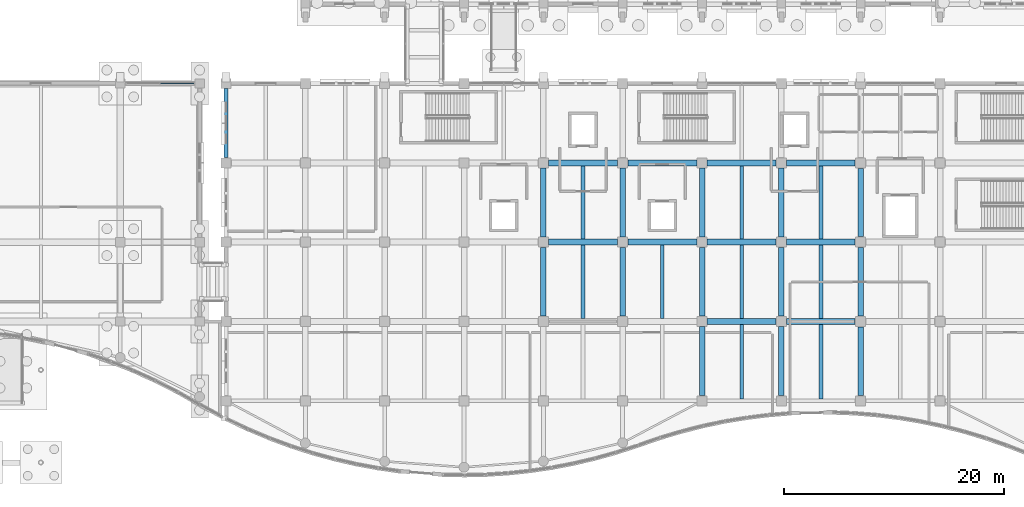
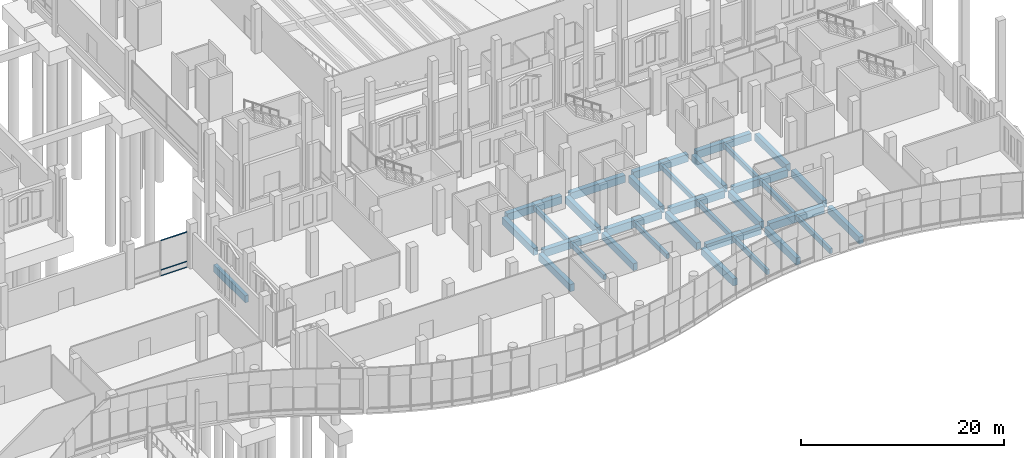
# One storey, part 83 of 192: 33 beams, 3 members, 1 element without a shape of its own.
"""IFC4 building model written with IfcOpenShell, lengths in metres."""

from ifc_helpers import new_model, si_unit, direction, frame, origin, origin_2d, place, context, subcontext, project, spatial, rectangle, hollow_rectangle, extrude, material, material_profile, profile_set, type_object, element, aggregate, save


model = new_model("IFC4")

# Units and contexts
model_context = context("Model", 3, precision=1e-05, world=origin(), true_north=direction((0.0, 1.0)))
body_context = subcontext(model_context, "Body", "Model", "MODEL_VIEW")
ifc_project = project(units=[si_unit("LENGTHUNIT", "METRE"), si_unit("AREAUNIT", "SQUARE_METRE"), si_unit("VOLUMEUNIT", "CUBIC_METRE"), si_unit("PLANEANGLEUNIT", "RADIAN"), si_unit("MASSUNIT", "GRAM", prefix="KILO")], contexts=[model_context])

# Site, building, storey
site_placement = place(None, origin())
site = spatial("IfcSite", under=ifc_project, at=site_placement, CompositionType="ELEMENT")
building_placement = place(site_placement, origin())
building = spatial("IfcBuilding", under=site, at=building_placement, Name="Cendralis Lancet Convention Centre", CompositionType="ELEMENT")
storey_placement = place(building_placement, origin())
storey = spatial("IfcBuildingStorey", under=building, at=storey_placement, Name="L00", CompositionType="ELEMENT", Elevation=0.0)

# Curtain wall, members
ifc_material_1 = material(Name="Anodised bronze architectural aluminium", Category="aluminium")
curtain_wall_type = type_object("IfcCurtainWallType", Name="ARC-CW-CL01", PredefinedType="USERDEFINED", material=ifc_material_1)
curtain_wall_placement = place(storey_placement, origin())
curtain_wall = element("IfcCurtainWall", 1, at=curtain_wall_placement, inside=storey, type_object=curtain_wall_type, Name="L00 Curtain Wall CW-CL1 #165", ObjectType="CURTAIN WALL", PredefinedType="USERDEFINED")
ifc_material_profile_1 = material_profile(ifc_material_1, hollow_rectangle(XDim=0.06005859375, YDim=0.1201171875, WallThickness=0.00390625, at=origin_2d()), Name="AL-TRAN 60x120x4.0")
ifc_profile_set_1 = profile_set([ifc_material_profile_1], Name="Anodised bronze architectural aluminium")
member_type = type_object("IfcMemberType", Name="ARC-CW-TR01", PredefinedType="USERDEFINED", material=ifc_profile_set_1)
member_1_placement = place(storey_placement, frame((126.06005859375, 36.0, 0.06005859375), z_axis=(1.0, 0.0, 0.0), x_axis=(0.0, 1.0, 0.0)))
member_1 = element("IfcMember", 2, at=member_1_placement, type_object=member_type, Name="Transom CW2-CW-CL1-L00-165-T1BOT", ObjectType="TRANSOM", PredefinedType="USERDEFINED", context=body_context, shape_type="SweptSolid", body=[
    extrude(hollow_rectangle(XDim=0.06005859375, YDim=0.1201171875, WallThickness=0.00390625, at=origin_2d()), origin(), (0.0, 0.0, 1.0), 3.0048828125),
])
member_2_placement = place(storey_placement, frame((126.06005859375, 36.0, 0.75), z_axis=(1.0, 0.0, 0.0), x_axis=(0.0, 1.0, 0.0)))
member_2 = element("IfcMember", 3, at=member_2_placement, type_object=member_type, Name="Transom CW2-CW-CL1-L00-165-T1MID", ObjectType="TRANSOM", PredefinedType="USERDEFINED", context=body_context, shape_type="SweptSolid", body=[
    extrude(hollow_rectangle(XDim=0.06005859375, YDim=0.1201171875, WallThickness=0.00390625, at=origin_2d()), origin(), (0.0, 0.0, 1.0), 3.0048828125),
])
member_3_placement = place(storey_placement, frame((126.06005859375, 36.0, 4.294921875), z_axis=(1.0, 0.0, 0.0), x_axis=(0.0, 1.0, 0.0)))
member_3 = element("IfcMember", 4, at=member_3_placement, type_object=member_type, Name="Transom CW2-CW-CL1-L00-165-T1TOP", ObjectType="TRANSOM", PredefinedType="USERDEFINED", context=body_context, shape_type="SweptSolid", body=[
    extrude(hollow_rectangle(XDim=0.06005859375, YDim=0.1201171875, WallThickness=0.00390625, at=origin_2d()), origin(), (0.0, 0.0, 1.0), 3.0048828125),
])
aggregate(curtain_wall, [member_1, member_2, member_3])

# Beams
ifc_material_2 = material(Name="Concrete G40 (C40/50)", Category="concrete")
ifc_material_profile_2 = material_profile(ifc_material_2, rectangle(XDim=0.550048828125, YDim=0.89990234375, at=origin_2d()), Name="RCB 550x900")
ifc_profile_set_2 = profile_set([ifc_material_profile_2], Name="Concrete G40 (C40/50)")
beam_type_1 = type_object("IfcBeamType", Name="STR-BM-BG06", PredefinedType="BEAM", material=ifc_profile_set_2)
beam_1_placement = place(storey_placement, frame((175.675048828125, 14.39990234375, -0.77001953125), z_axis=(1.0, 0.0, 0.0), x_axis=(0.0, 1.0, 0.0)))
element("IfcBeam", 5, at=beam_1_placement, inside=storey, type_object=beam_type_1, Name="L00 Beam BG06 #0017", PredefinedType="BEAM", context=body_context, shape_type="SweptSolid", body=[
    extrude(rectangle(XDim=0.550048828125, YDim=0.89990234375, at=origin_2d()), origin(), (0.0, 0.0, 1.0), 6.25),
])
beam_2_placement = place(storey_placement, frame((182.875, 14.39990234375, -0.77001953125), z_axis=(1.0, 0.0, 0.0), x_axis=(0.0, 1.0, 0.0)))
element("IfcBeam", 6, at=beam_2_placement, inside=storey, type_object=beam_type_1, Name="L00 Beam BG06 #0018", PredefinedType="BEAM", context=body_context, shape_type="SweptSolid", body=[
    extrude(rectangle(XDim=0.550048828125, YDim=0.89990234375, at=origin_2d()), origin(), (0.0, 0.0, 1.0), 6.22509765625),
])
for number, where, z_axis, x_axis, name in (
    (7, (161.27490234375, 21.60009765625, -0.77001953125), (1.0, 0.0, 0.0), (0.0, 1.0, 0.0), "L00 Beam BG06 #0025"),
    (8, (168.47509765625, 21.60009765625, -0.77001953125), (1.0, 0.0, 0.0), (0.0, 1.0, 0.0), "L00 Beam BG06 #0026"),
    (9, (175.675048828125, 21.60009765625, -0.77001953125), (1.0, 0.0, 0.0), (0.0, 1.0, 0.0), "L00 Beam BG06 #0027"),
):
    element("IfcBeam", number, at=place(storey_placement, frame(where, z_axis=z_axis, x_axis=x_axis)), inside=storey, type_object=beam_type_1, Name=name, PredefinedType="BEAM", context=body_context, shape_type="SweptSolid", body=[
        extrude(rectangle(XDim=0.550048828125, YDim=0.89990234375, at=origin_2d()), origin(), (0.0, 0.0, 1.0), 6.25),
    ])
beam_3_placement = place(storey_placement, frame((182.875, 21.60009765625, -0.77001953125), z_axis=(1.0, 0.0, 0.0), x_axis=(0.0, 1.0, 0.0)))
element("IfcBeam", 10, at=beam_3_placement, inside=storey, type_object=beam_type_1, Name="L00 Beam BG06 #0028", PredefinedType="BEAM", context=body_context, shape_type="SweptSolid", body=[
    extrude(rectangle(XDim=0.550048828125, YDim=0.89990234375, at=origin_2d()), origin(), (0.0, 0.0, 1.0), 6.22509765625),
])
for number, where, z_axis, x_axis, name in (
    (11, (161.27490234375, 28.800048828125, -0.77001953125), (1.0, 0.0, 0.0), (0.0, 1.0, 0.0), "L00 Beam BG06 #0035"),
    (12, (168.47509765625, 28.800048828125, -0.77001953125), (1.0, 0.0, 0.0), (0.0, 1.0, 0.0), "L00 Beam BG06 #0036"),
    (13, (175.675048828125, 28.800048828125, -0.77001953125), (1.0, 0.0, 0.0), (0.0, 1.0, 0.0), "L00 Beam BG06 #0037"),
):
    element("IfcBeam", number, at=place(storey_placement, frame(where, z_axis=z_axis, x_axis=x_axis)), inside=storey, type_object=beam_type_1, Name=name, PredefinedType="BEAM", context=body_context, shape_type="SweptSolid", body=[
        extrude(rectangle(XDim=0.550048828125, YDim=0.89990234375, at=origin_2d()), origin(), (0.0, 0.0, 1.0), 6.25),
    ])
beam_4_placement = place(storey_placement, frame((182.875, 28.800048828125, -0.77001953125), z_axis=(1.0, 0.0, 0.0), x_axis=(0.0, 1.0, 0.0)))
element("IfcBeam", 14, at=beam_4_placement, inside=storey, type_object=beam_type_1, Name="L00 Beam BG06 #0038", PredefinedType="BEAM", context=body_context, shape_type="SweptSolid", body=[
    extrude(rectangle(XDim=0.550048828125, YDim=0.89990234375, at=origin_2d()), origin(), (0.0, 0.0, 1.0), 6.22509765625),
])
ifc_material_3 = material(Name="Concrete G35 (C35/45)", Category="concrete")
ifc_material_profile_3 = material_profile(ifc_material_3, rectangle(XDim=0.5, YDim=0.85009765625, at=origin_2d()), Name="RCB 500x850")
ifc_profile_set_3 = profile_set([ifc_material_profile_3], Name="Concrete G35 (C35/45)")
beam_type_2 = type_object("IfcBeamType", Name="STR-BM-BG08", PredefinedType="BEAM", material=ifc_profile_set_3)
for number, where, z_axis, x_axis, name in (
    (15, (160.800048828125, 14.875, -0.7451171875), (0.0, 1.0, 0.0), (-1.0, 0.0, 0.0), "L00 Beam BG08 #0067"),
    (16, (160.800048828125, 22.074951171875, -0.7451171875), (0.0, 1.0, 0.0), (-1.0, 0.0, 0.0), "L00 Beam BG08 #0068"),
    (17, (168.0, 14.875, -0.7451171875), (0.0, 1.0, 0.0), (-1.0, 0.0, 0.0), "L00 Beam BG08 #0071"),
    (18, (168.0, 22.074951171875, -0.7451171875), (0.0, 1.0, 0.0), (-1.0, 0.0, 0.0), "L00 Beam BG08 #0072"),
    (19, (175.199951171875, 7.675048828125, -0.7451171875), (0.0, 1.0, 0.0), (-1.0, 0.0, 0.0), "L00 Beam BG08 #0074"),
    (20, (175.199951171875, 14.875, -0.7451171875), (0.0, 1.0, 0.0), (-1.0, 0.0, 0.0), "L00 Beam BG08 #0075"),
    (21, (175.199951171875, 22.074951171875, -0.7451171875), (0.0, 1.0, 0.0), (-1.0, 0.0, 0.0), "L00 Beam BG08 #0076"),
    (22, (182.39990234375, 7.675048828125, -0.7451171875), (0.0, 1.0, 0.0), (-1.0, 0.0, 0.0), "L00 Beam BG08 #0077"),
    (23, (182.39990234375, 14.875, -0.7451171875), (0.0, 1.0, 0.0), (-1.0, 0.0, 0.0), "L00 Beam BG08 #0078"),
    (24, (182.39990234375, 22.074951171875, -0.7451171875), (0.0, 1.0, 0.0), (-1.0, 0.0, 0.0), "L00 Beam BG08 #0079"),
):
    element("IfcBeam", number, at=place(storey_placement, frame(where, z_axis=z_axis, x_axis=x_axis)), inside=storey, type_object=beam_type_2, Name=name, PredefinedType="BEAM", context=body_context, shape_type="SweptSolid", body=[
        extrude(rectangle(XDim=0.5, YDim=0.85009765625, at=origin_2d()), origin(), (0.0, 0.0, 1.0), 6.25),
    ])
beam_5_placement = place(storey_placement, frame((189.60009765625, 7.699951171875, -0.7451171875), z_axis=(0.0, 1.0, 0.0), x_axis=(-1.0, 0.0, 0.0)))
element("IfcBeam", 25, at=beam_5_placement, inside=storey, type_object=beam_type_2, Name="L00 Beam BG08 #0081", PredefinedType="BEAM", context=body_context, shape_type="SweptSolid", body=[
    extrude(rectangle(XDim=0.5, YDim=0.85009765625, at=origin_2d()), origin(), (0.0, 0.0, 1.0), 6.199951171875),
])
beam_6_placement = place(storey_placement, frame((189.60009765625, 14.89990234375, -0.7451171875), z_axis=(0.0, 1.0, 0.0), x_axis=(-1.0, 0.0, 0.0)))
element("IfcBeam", 26, at=beam_6_placement, inside=storey, type_object=beam_type_2, Name="L00 Beam BG08 #0082", PredefinedType="BEAM", context=body_context, shape_type="SweptSolid", body=[
    extrude(rectangle(XDim=0.5, YDim=0.85009765625, at=origin_2d()), origin(), (0.0, 0.0, 1.0), 6.2001953125),
])
beam_7_placement = place(storey_placement, frame((189.60009765625, 22.10009765625, -0.7451171875), z_axis=(0.0, 1.0, 0.0), x_axis=(-1.0, 0.0, 0.0)))
element("IfcBeam", 27, at=beam_7_placement, inside=storey, type_object=beam_type_2, Name="L00 Beam BG08 #0083", PredefinedType="BEAM", context=body_context, shape_type="SweptSolid", body=[
    extrude(rectangle(XDim=0.5, YDim=0.85009765625, at=origin_2d()), origin(), (0.0, 0.0, 1.0), 6.199951171875),
])
ifc_material_profile_4 = material_profile(ifc_material_3, rectangle(XDim=0.320068359375, YDim=0.580078125, at=origin_2d()), Name="RCB 320x580")
ifc_profile_set_4 = profile_set([ifc_material_profile_4], Name="Concrete G35 (C35/45)")
beam_type_3 = type_object("IfcBeamType", Name="STR-JS-BJ01", PredefinedType="JOIST", material=ifc_profile_set_4)
for number, where, z_axis, x_axis, name in (
    (28, (164.39990234375, 14.675048828125, -0.610107421875), (0.0, 1.0, 0.0), (-1.0, 0.0, 0.0), "L00 Beam BJ01 #0108"),
    (29, (164.39990234375, 21.875, -0.610107421875), (0.0, 1.0, 0.0), (-1.0, 0.0, 0.0), "L00 Beam BJ01 #0109"),
    (30, (171.60009765625, 14.675048828125, -0.610107421875), (0.0, 1.0, 0.0), (-1.0, 0.0, 0.0), "L00 Beam BJ01 #0111"),
):
    element("IfcBeam", number, at=place(storey_placement, frame(where, z_axis=z_axis, x_axis=x_axis)), inside=storey, type_object=beam_type_3, Name=name, PredefinedType="JOIST", context=body_context, shape_type="SweptSolid", body=[
        extrude(rectangle(XDim=0.320068359375, YDim=0.580078125, at=origin_2d()), origin(), (0.0, 0.0, 1.0), 6.64990234375),
    ])
beam_8_placement = place(storey_placement, frame((178.800048828125, 7.375, -0.610107421875), z_axis=(0.0, 1.0, 0.0), x_axis=(-1.0, 0.0, 0.0)))
element("IfcBeam", 31, at=beam_8_placement, inside=storey, type_object=beam_type_3, Name="L00 Beam BJ01 #0112", PredefinedType="JOIST", context=body_context, shape_type="SweptSolid", body=[
    extrude(rectangle(XDim=0.320068359375, YDim=0.580078125, at=origin_2d()), origin(), (0.0, 0.0, 1.0), 6.75),
])
for number, where, z_axis, x_axis, name in (
    (32, (178.800048828125, 14.675048828125, -0.610107421875), (0.0, 1.0, 0.0), (-1.0, 0.0, 0.0), "L00 Beam BJ01 #0113"),
    (33, (178.800048828125, 21.875, -0.610107421875), (0.0, 1.0, 0.0), (-1.0, 0.0, 0.0), "L00 Beam BJ01 #0114"),
):
    element("IfcBeam", number, at=place(storey_placement, frame(where, z_axis=z_axis, x_axis=x_axis)), inside=storey, type_object=beam_type_3, Name=name, PredefinedType="JOIST", context=body_context, shape_type="SweptSolid", body=[
        extrude(rectangle(XDim=0.320068359375, YDim=0.580078125, at=origin_2d()), origin(), (0.0, 0.0, 1.0), 6.64990234375),
    ])
beam_9_placement = place(storey_placement, frame((186.0, 7.375, -0.610107421875), z_axis=(0.0, 1.0, 0.0), x_axis=(-1.0, 0.0, 0.0)))
element("IfcBeam", 34, at=beam_9_placement, inside=storey, type_object=beam_type_3, Name="L00 Beam BJ01 #0116", PredefinedType="JOIST", context=body_context, shape_type="SweptSolid", body=[
    extrude(rectangle(XDim=0.320068359375, YDim=0.580078125, at=origin_2d()), origin(), (0.0, 0.0, 1.0), 6.75),
])
for number, where, z_axis, x_axis, name in (
    (35, (186.0, 14.675048828125, -0.610107421875), (0.0, 1.0, 0.0), (-1.0, 0.0, 0.0), "L00 Beam BJ01 #0117"),
    (36, (186.0, 21.875, -0.610107421875), (0.0, 1.0, 0.0), (-1.0, 0.0, 0.0), "L00 Beam BJ01 #0118"),
):
    element("IfcBeam", number, at=place(storey_placement, frame(where, z_axis=z_axis, x_axis=x_axis)), inside=storey, type_object=beam_type_3, Name=name, PredefinedType="JOIST", context=body_context, shape_type="SweptSolid", body=[
        extrude(rectangle(XDim=0.320068359375, YDim=0.580078125, at=origin_2d()), origin(), (0.0, 0.0, 1.0), 6.64990234375),
    ])
ifc_material_profile_5 = material_profile(ifc_material_2, rectangle(XDim=0.39990234375, YDim=0.85009765625, at=origin_2d()), Name="RCB 400x850")
ifc_profile_set_5 = profile_set([ifc_material_profile_5], Name="Concrete G40 (C40/50)")
beam_type_4 = type_object("IfcBeamType", Name="STR-SP-SP02", PredefinedType="SPANDREL", material=ifc_profile_set_5)
beam_10_placement = place(storey_placement, frame((132.0, 29.27490234375, -0.7451171875), z_axis=(0.0, 1.0, 0.0), x_axis=(-1.0, 0.0, 0.0)))
element("IfcBeam", 37, at=beam_10_placement, inside=storey, type_object=beam_type_4, Name="L00 Beam SP02 #0054", PredefinedType="SPANDREL", context=body_context, shape_type="SweptSolid", body=[
    extrude(rectangle(XDim=0.39990234375, YDim=0.85009765625, at=origin_2d()), origin(), (0.0, 0.0, 1.0), 6.25),
])

save(model, "model.ifc")
